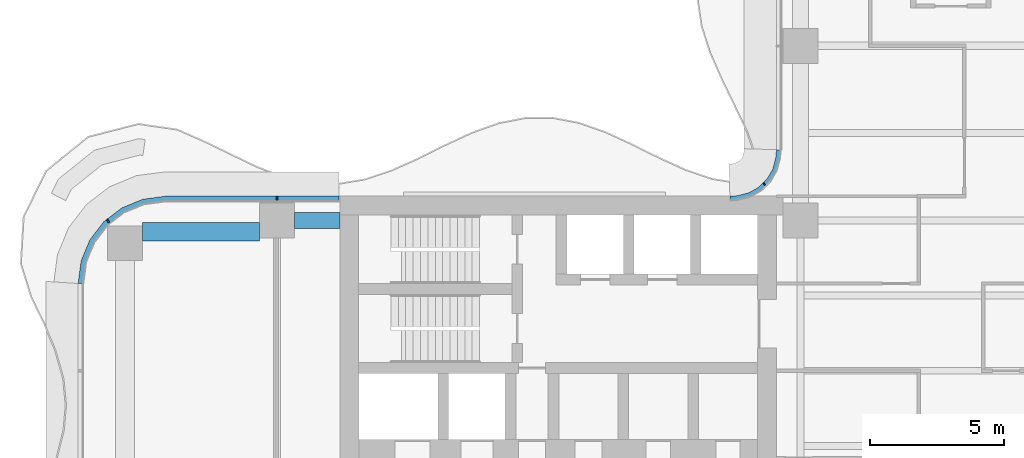
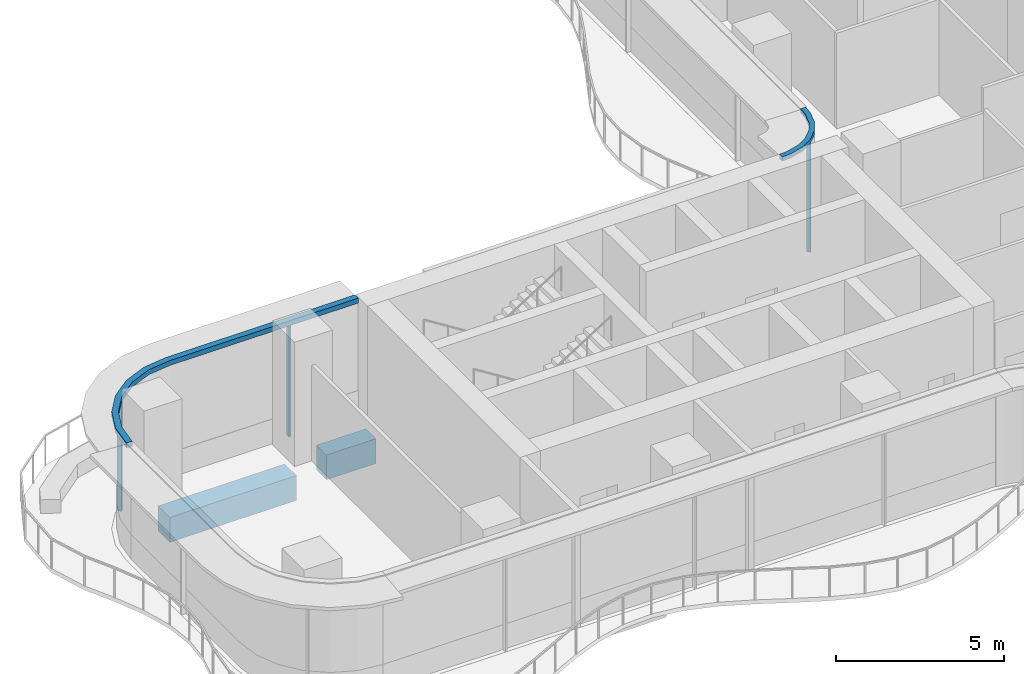
# One storey, part 8 of 21: 5 members, 2 beams, 2 elements without a shape of their own.
"""IFC4 building model written with IfcOpenShell, lengths in metres."""

from ifc_helpers import new_model, si_unit, direction, frame, origin, origin_2d, place, context, subcontext, project, spatial, polyline, rectangle, outline, extrude, source, transform, mapped, material, layer, layer_set, material_profile, profile_set, type_object, element, aggregate, save


model = new_model("IFC4")

# Units and contexts
model_context = context("Model", 3, precision=1e-05, world=origin(), true_north=direction((0.0, 1.0)))
body_context = subcontext(model_context, "Body", "Model", "MODEL_VIEW")
ifc_project = project(units=[si_unit("LENGTHUNIT", "METRE"), si_unit("AREAUNIT", "SQUARE_METRE"), si_unit("VOLUMEUNIT", "CUBIC_METRE"), si_unit("PLANEANGLEUNIT", "RADIAN"), si_unit("MASSUNIT", "GRAM", prefix="KILO")], contexts=[model_context])

# Site, building, storey
site_placement = place(None, origin())
site = spatial("IfcSite", under=ifc_project, at=site_placement, CompositionType="ELEMENT")
building_placement = place(site_placement, origin())
building = spatial("IfcBuilding", under=site, at=building_placement, Name="Trellis Farm Tower", CompositionType="ELEMENT")
storey_placement = place(building_placement, frame((0.0, 0.0, 102.0)))
storey = spatial("IfcBuildingStorey", under=building, at=storey_placement, Name="L21", CompositionType="ELEMENT", Elevation=102.0)

# Beams
ifc_material_1 = material(Name="Concrete C60/75", Category="concrete")
ifc_material_profile_1 = material_profile(ifc_material_1, rectangle(XDim=0.60009765625, YDim=0.89990234375, at=origin_2d()), Name="RC spandrel beam 600x900 C60/75")
ifc_profile_set_1 = profile_set([ifc_material_profile_1], Name="Concrete C60/75")
beam_type_1 = type_object("IfcBeamType", Name="RC spandrel beam 600x900 C60/75", PredefinedType="SPANDREL", material=ifc_profile_set_1)
shared_shape_1 = source(origin(), body_context, "Body", "SweptSolid", [
    extrude(rectangle(XDim=0.60009765625, YDim=0.89990234375, at=origin_2d()), origin(), (0.0, 0.0, 1.0), 1.699951171875),
])
beam_1_placement = place(storey_placement, frame((-24.449951171875, 5.60009765625, -0.699951171875), z_axis=(1.0, 0.0, 0.0), x_axis=(0.0, 1.0, 0.0)))
element("IfcBeam", 1, at=beam_1_placement, inside=storey, type_object=beam_type_1, Name="Girder", PredefinedType="SPANDREL", context=body_context, shape_type="MappedRepresentation", body=[
    mapped(shared_shape_1, transform((0.0, 0.0, 0.0))),
])
ifc_material_profile_2 = material_profile(ifc_material_1, rectangle(XDim=0.699951171875, YDim=0.89990234375, at=origin_2d()), Name="RC spandrel beam 700x900 C60/75")
ifc_profile_set_2 = profile_set([ifc_material_profile_2], Name="Concrete C60/75")
beam_type_2 = type_object("IfcBeamType", Name="RC spandrel beam 700x900 C60/75", PredefinedType="SPANDREL", material=ifc_profile_set_2)
shared_shape_2 = source(origin(), body_context, "Body", "SweptSolid", [
    extrude(rectangle(XDim=0.699951171875, YDim=0.89990234375, at=origin_2d()), origin(), (0.0, 0.0, 1.0), 4.35009765625),
])
beam_2_placement = place(storey_placement, frame((-30.10009765625, 5.175048828125, -0.699951171875), z_axis=(1.0, 0.0, 0.0), x_axis=(0.0, 1.0, 0.0)))
element("IfcBeam", 2, at=beam_2_placement, inside=storey, type_object=beam_type_2, Name="Girder", PredefinedType="SPANDREL", context=body_context, shape_type="MappedRepresentation", body=[
    mapped(shared_shape_2, transform((0.0, 0.0, 0.0))),
])

# Curtain wall, members
ifc_material_2 = material(Name="Aluminium and glass curtain wall", Category="aluminium")
ifc_layer_1 = layer(ifc_material_2, 0.18994140625)
ifc_layer_set_1 = layer_set([ifc_layer_1], Name="RIBBON CURTAIN WALL CW1")
curtain_wall_type_1 = type_object("IfcCurtainWallType", Name="RIBBON CURTAIN WALL CW1", PredefinedType="NOTDEFINED", material=ifc_layer_set_1)
placement = place(storey_placement, origin())
curtain_wall_1 = element("IfcCurtainWall", 3, at=placement, inside=storey, type_object=curtain_wall_type_1, Name="CW1 012", PredefinedType="NOTDEFINED")
ifc_material_3 = material(Name="Aluminium extrusion 6063-T6", Category="aluminium")
ifc_material_profile_3 = material_profile(ifc_material_3, rectangle(XDim=0.06005859375, YDim=0.14990234375, at=origin_2d()), Name="MULLION 60x150")
ifc_profile_set_3 = profile_set([ifc_material_profile_3], Name="Aluminium extrusion 6063-T6")
member_type_1 = type_object("IfcMemberType", Name="CW1 MULLION 60x150", PredefinedType="MULLION", material=ifc_profile_set_3)
shared_shape_3 = source(origin(), body_context, "Body", "SweptSolid", [
    extrude(rectangle(XDim=0.06005859375, YDim=0.14990234375, at=origin_2d()), origin(), (0.0, 0.0, 1.0), 4.070068359375),
])
member_1_placement = place(storey_placement, frame((-25.10009765625, 6.425048828125, 0.0), z_axis=(0.0, 0.0, 1.0), x_axis=(-1.0, 0.0, 0.0)))
member_1 = element("IfcMember", 4, at=member_1_placement, type_object=member_type_1, Name="MU1 012-01", PredefinedType="MULLION", context=body_context, shape_type="MappedRepresentation", body=[
    mapped(shared_shape_3, transform((0.0, 0.0, 0.0))),
])
member_2_placement = place(storey_placement, frame((-31.385498046875, 5.578369140625, 0.0), z_axis=(0.0, 0.0, 1.0), x_axis=(-0.793353340291, -0.608761429009, 0.0)))
member_2 = element("IfcMember", 5, at=member_2_placement, type_object=member_type_1, Name="MU1 012-02", PredefinedType="MULLION", context=body_context, shape_type="MappedRepresentation", body=[
    mapped(shared_shape_3, transform((0.0, 0.0, 0.0))),
])

ifc_layer_2 = layer(ifc_material_2, 0.166015625)
ifc_layer_set_2 = layer_set([ifc_layer_2], Name="WINTER GARDEN CURTAIN WALL CW3")
curtain_wall_type_2 = type_object("IfcCurtainWallType", Name="WINTER GARDEN CURTAIN WALL CW3", PredefinedType="NOTDEFINED", material=ifc_layer_set_2)
curtain_wall_2 = element("IfcCurtainWall", 6, at=placement, inside=storey, type_object=curtain_wall_type_2, Name="CW3 004", PredefinedType="NOTDEFINED")
ifc_material_profile_4 = material_profile(ifc_material_3, rectangle(XDim=0.050048828125, YDim=0.1201171875, at=origin_2d()), Name="MULLION 50x120")
ifc_profile_set_4 = profile_set([ifc_material_profile_4], Name="Aluminium extrusion 6063-T6")
member_type_2 = type_object("IfcMemberType", Name="CW3 MULLION 50x120", PredefinedType="MULLION", material=ifc_profile_set_4)
shared_shape_4 = source(origin(), body_context, "Body", "SweptSolid", [
    extrude(rectangle(XDim=0.050048828125, YDim=0.1201171875, at=origin_2d()), origin(), (0.0, 0.0, 1.0), 4.10009765625),
])
member_3_placement = place(storey_placement, frame((-6.953125, 6.953125, 0.0), z_axis=(0.0, 0.0, 1.0), x_axis=(-0.707106781187, -0.707106781187, 0.0)))
member_3 = element("IfcMember", 7, at=member_3_placement, type_object=member_type_2, Name="MU3 004-01", PredefinedType="MULLION", context=body_context, shape_type="MappedRepresentation", body=[
    mapped(shared_shape_4, transform((0.0, 0.0, 0.0))),
])
ifc_layer_3 = layer(ifc_material_3, 0.169921875)
ifc_layer_set_3 = layer_set([ifc_layer_3], Name="Aluminium extrusion 6063-T6")
member_type_3 = type_object("IfcMemberType", Name="CW3 TRANSOM 170x150", PredefinedType="USERDEFINED", material=ifc_layer_set_3)
shared_shape_5 = source(origin(), body_context, "Body", "SweptSolid", [
    extrude(outline(polyline([(-6.5, 8.2314453125), (-6.513916015625, 8.01953125), (-6.527587890625, 7.91552734375), (-6.63671875, 7.508544921875), (-6.846923828125, 7.144287109375), (-7.144287109375, 6.846923828125), (-7.508544921875, 6.63671875), (-7.91552734375, 6.527587890625), (-8.01953125, 6.513916015625), (-8.2314453125, 6.5), (-8.225830078125, 6.330078125), (-8.0029296875, 6.3447265625), (-7.88232421875, 6.360595703125), (-7.44287109375, 6.478271484375), (-7.0400390625, 6.7109375), (-6.7109375, 7.0400390625), (-6.478271484375, 7.44287109375), (-6.360595703125, 7.88232421875), (-6.3447265625, 8.0029296875), (-6.330078125, 8.225830078125), (-6.5, 8.2314453125)])), origin(), (0.0, 0.0, 1.0), 0.14990234375),
])
member_4_placement = place(storey_placement, frame((0.0, 0.0, 4.10009765625)))
member_4 = element("IfcMember", 8, at=member_4_placement, type_object=member_type_3, Name="TR3 004", ObjectType="TRANSOM", PredefinedType="USERDEFINED", context=body_context, shape_type="MappedRepresentation", body=[
    mapped(shared_shape_5, transform((0.0, 0.0, 0.0))),
])
aggregate(curtain_wall_2, [member_3, member_4])

# Member
ifc_layer_4 = layer(ifc_material_3, 0.199951171875)
ifc_layer_set_4 = layer_set([ifc_layer_4], Name="Aluminium extrusion 6063-T6")
member_type_4 = type_object("IfcMemberType", Name="CW1 TRANSOM 200x180", PredefinedType="USERDEFINED", material=ifc_layer_set_4)
shared_shape_6 = source(origin(), body_context, "Body", "SweptSolid", [
    extrude(outline(polyline([(-22.780029296875, 6.5), (-29.25, 6.5), (-30.091064453125, 6.38916015625), (-30.875, 6.064697265625), (-31.548095703125, 5.548095703125), (-32.064697265625, 4.875), (-32.38916015625, 4.091064453125), (-32.5, 3.25), (-32.300048828125, 3.23681640625), (-32.1943359375, 4.0390625), (-31.889892578125, 4.774169921875), (-31.405517578125, 5.405517578125), (-30.774169921875, 5.889892578125), (-30.0390625, 6.1943359375), (-29.23681640625, 6.300048828125), (-22.780029296875, 6.300048828125), (-22.780029296875, 6.5)])), origin(), (0.0, 0.0, 1.0), 0.179931640625),
])
member_5_placement = place(storey_placement, frame((0.0, 0.0, 4.070068359375)))
member_5 = element("IfcMember", 9, at=member_5_placement, type_object=member_type_4, Name="TR1 012", ObjectType="TRANSOM", PredefinedType="USERDEFINED", context=body_context, shape_type="MappedRepresentation", body=[
    mapped(shared_shape_6, transform((0.0, 0.0, 0.0))),
])

aggregate(curtain_wall_1, [member_1, member_2, member_5])

save(model, "model.ifc")
